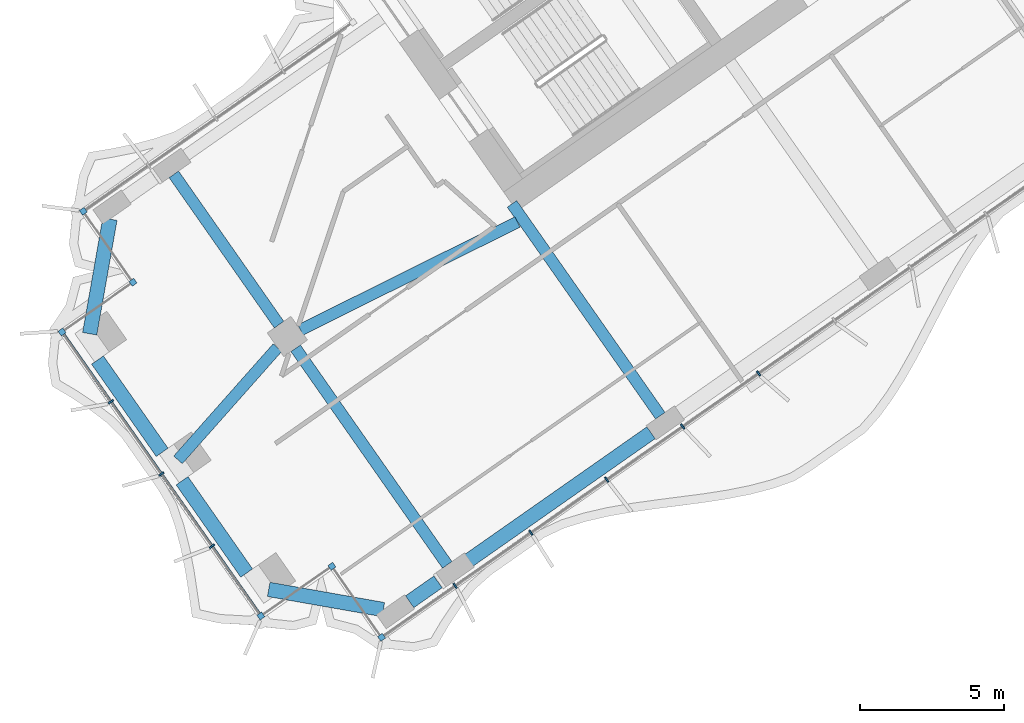
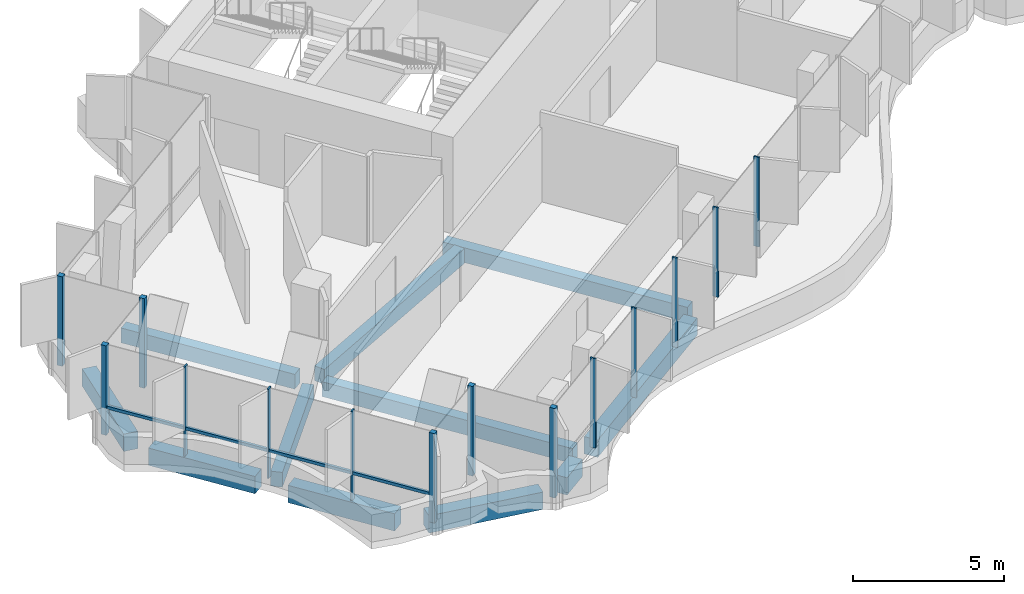
# One storey, part 2 of 23: 15 members, 11 beams, 1 element without a shape of its own.
"""IFC4 building model written with IfcOpenShell, lengths in metres."""

import ifcopenshell
import ifcopenshell.guid

model = None  # the IFC model being written
_history = None  # IfcOwnerHistory: only IFC2X3 demands one
_inside = {}  # id of a spatial element -> (the spatial element, [elements in it])
_under = {}  # id of a project, library or spatial element -> (it, [spatial elements below it])
_declared = {}  # id of a project -> (the project, [libraries it declares])
_typed = {}  # id of a type object -> (the type object, [elements of that type])
_made_of = {}  # id of a material, layer set ... -> (it, [elements and type objects made of it])


def new_model(schema):
    """Start an empty IFC model of exactly this schema.

    Asked for "IFC4X3", IfcOpenShell would pick the latest addendum, in which some entities
    have other attributes; the version numbers below select the first issue.
    IFC2X3 requires an IfcOwnerHistory on every rooted entity: one is made here for all.
    """
    global model, _history
    if schema == "IFC4X3":
        model = ifcopenshell.file(schema_version=(4, 3, 0, 0))
    else:
        model = ifcopenshell.file(schema=schema)
    _inside.clear()
    _under.clear()
    _declared.clear()
    _typed.clear()
    _made_of.clear()
    _history = None
    if model.schema == "IFC2X3":
        org = make("IfcOrganization", Name="unknown")
        user = make(
            "IfcPersonAndOrganization",
            ThePerson=make("IfcPerson", FamilyName="unknown"),
            TheOrganization=org,
        )
        app = make(
            "IfcApplication",
            ApplicationDeveloper=org,
            Version="unknown",
            ApplicationFullName="unknown",
            ApplicationIdentifier="unknown",
        )
        _history = make(
            "IfcOwnerHistory",
            OwningUser=user,
            OwningApplication=app,
            ChangeAction="ADDED",
            CreationDate=0,
        )
    return model


def make(cls, **values):
    """One entity of the class cls with the attributes given. An attribute that is None is left unset."""
    return model.create_entity(
        cls, **{name: value for name, value in values.items() if value is not None}
    )


def rooted(cls, **values):
    """An entity with a GlobalId (a new one), such as an element, a storey or a relation."""
    return make(cls, GlobalId=ifcopenshell.guid.new(), OwnerHistory=_history, **values)


def si_unit(unit_type, name, prefix=None):
    """IfcSIUnit, for example si_unit("LENGTHUNIT", "METRE", prefix="MILLI")."""
    return make("IfcSIUnit", UnitType=unit_type, Prefix=prefix, Name=name)


def assignment(units):
    """IfcUnitAssignment: the units of a project."""
    return None if units is None else make("IfcUnitAssignment", Units=units)


def point(xyz):
    """IfcCartesianPoint."""
    return None if xyz is None else make("IfcCartesianPoint", Coordinates=xyz)


def direction(xyz):
    """IfcDirection."""
    return None if xyz is None else make("IfcDirection", DirectionRatios=xyz)


def frame(location, z_axis=None, x_axis=None):
    """IfcAxis2Placement3D, a coordinate frame: its origin and axes. An axis left out is left unset."""
    return make(
        "IfcAxis2Placement3D",
        Location=point(location),
        Axis=direction(z_axis),
        RefDirection=direction(x_axis),
    )


def frame_2d(location, x_axis=None):
    """IfcAxis2Placement2D, a coordinate frame in the plane: its origin and x axis."""
    return make(
        "IfcAxis2Placement2D", Location=point(location), RefDirection=direction(x_axis)
    )


def origin():
    """The frame at (0, 0, 0) with its axes left unset."""
    return frame((0.0, 0.0, 0.0))


def origin_2d():
    """The frame at (0, 0) in the plane with its x axis left unset."""
    return frame_2d((0.0, 0.0))


def place(relative_to, where):
    """IfcLocalPlacement: puts the frame where relative to a parent placement (None: the world)."""
    return make(
        "IfcLocalPlacement", PlacementRelTo=relative_to, RelativePlacement=where
    )


def context(
    kind, dimensions, precision=None, world=None, true_north=None, identifier=None
):
    """IfcGeometricRepresentationContext, for example the 3D "Model" context."""
    return make(
        "IfcGeometricRepresentationContext",
        ContextIdentifier=identifier,
        ContextType=kind,
        CoordinateSpaceDimension=dimensions,
        Precision=precision,
        WorldCoordinateSystem=world,
        TrueNorth=true_north,
    )


def subcontext(parent, identifier, kind, view, scale=None):
    """IfcGeometricRepresentationSubContext, for example "Body" below "Model"."""
    return make(
        "IfcGeometricRepresentationSubContext",
        ContextIdentifier=identifier,
        ContextType=kind,
        ParentContext=parent,
        TargetScale=scale,
        TargetView=view,
    )


def project(units=None, contexts=None):
    """IfcProject with its units and contexts."""
    return rooted(
        "IfcProject",
        Name="project",
        RepresentationContexts=contexts,
        UnitsInContext=assignment(units),
    )


def spatial(cls, under=None, at=None, **own):
    """A site, building, storey or space (cls), placed at a placement, below another one or the project."""
    s = rooted(cls, ObjectPlacement=at, **own)
    if under is not None:
        _under.setdefault(under.id(), (under, []))[1].append(s)
    return s


def profile(cls, at=None, kind="AREA", **sizes):
    """A parametric profile (cls). Its sizes go by their IFC names, for example OverallWidth=200.0."""
    return make(cls, ProfileType=kind, Position=at, **sizes)


def rectangle(**sizes):
    """IfcRectangleProfileDef."""
    return profile("IfcRectangleProfileDef", **sizes)


def extrude(swept, where, along, depth):
    """IfcExtrudedAreaSolid: the profile swept, set in the frame where, extruded along a direction by depth."""
    return make(
        "IfcExtrudedAreaSolid",
        SweptArea=swept,
        Position=where,
        ExtrudedDirection=direction(along),
        Depth=depth,
    )


def shape(context_of_items, identifier, shape_type, items):
    """IfcShapeRepresentation: the items that make up one representation, for example the "Body"."""
    return make(
        "IfcShapeRepresentation",
        ContextOfItems=context_of_items,
        RepresentationIdentifier=identifier,
        RepresentationType=shape_type,
        Items=items,
    )


def material(Name=None, Category=None):
    """IfcMaterial."""
    return make("IfcMaterial", Name=Name, Category=Category)


def material_profile(
    of_material, cross_section, Name=None, Category=None, Priority=None
):
    """IfcMaterialProfile: a cross section and its material."""
    return make(
        "IfcMaterialProfile",
        Name=Name,
        Material=of_material,
        Profile=cross_section,
        Priority=Priority,
        Category=Category,
    )


def profile_set(profiles, Name=None, composite=None):
    """IfcMaterialProfileSet."""
    return make(
        "IfcMaterialProfileSet",
        Name=Name,
        MaterialProfiles=profiles,
        CompositeProfile=composite,
    )


def made_of(thing, what):
    """Note that an element or type object is made of a material, layer set ...; save() writes the relation."""
    if what is not None:
        _made_of.setdefault(what.id(), (what, []))[1].append(thing)
    return thing


def type_object(cls, material=None, **own):
    """A type object (cls), such as IfcWallType, which elements share."""
    return made_of(rooted(cls, **own), material)


def element(
    cls,
    number,
    at=None,
    inside=None,
    cuts=None,
    type_object=None,
    material=None,
    context=None,
    identifier="Body",
    shape_type=None,
    held_by="IfcProductDefinitionShape",
    body=None,
    shapes=None,
    **own,
):
    """One element of the class cls, such as IfcWall. Its Tag is "e" and its number.

    at: its placement. inside: the storey or other place that contains it. cuts: it is an
    opening in that element (IfcRelVoidsElement). A single representation is given by context,
    identifier, shape_type and body (its items); several are given by shapes. held_by: the class
    of the entity that holds the representations. save() writes the other relations.
    """
    e = rooted(cls, Tag="e%d" % number, ObjectPlacement=at, **own)
    if body is not None:
        shapes = [shape(context, identifier, shape_type, body)]
    if shapes is not None:
        e.Representation = make(held_by, Representations=shapes)
    if inside is not None:
        _inside.setdefault(inside.id(), (inside, []))[1].append(e)
    if cuts is not None:
        rooted(
            "IfcRelVoidsElement", RelatingBuildingElement=cuts, RelatedOpeningElement=e
        )
    if type_object is not None:
        _typed.setdefault(type_object.id(), (type_object, []))[1].append(e)
    return made_of(e, material)


def aggregate(whole, parts):
    """IfcRelAggregates: a whole, such as a stair, and the parts it consists of."""
    return rooted("IfcRelAggregates", RelatingObject=whole, RelatedObjects=parts)


def save(model, path):
    """Write the relations noted so far, then the file.

    IfcRelAggregates (storeys below a building ...), IfcRelContainedInSpatialStructure (elements
    in a storey), IfcRelDefinesByType, IfcRelAssociatesMaterial and IfcRelDeclares: one each for
    every whole, place, type object, material and project.
    """
    for whole, parts in _under.values():
        aggregate(whole, parts)
    for where, things in _inside.values():
        rooted(
            "IfcRelContainedInSpatialStructure",
            RelatedElements=things,
            RelatingStructure=where,
        )
    for kind, things in _typed.values():
        rooted("IfcRelDefinesByType", RelatedObjects=things, RelatingType=kind)
    for what, things in _made_of.values():
        rooted("IfcRelAssociatesMaterial", RelatedObjects=things, RelatingMaterial=what)
    for by, libraries in _declared.values():
        rooted("IfcRelDeclares", RelatingContext=by, RelatedDefinitions=libraries)
    model.write(path)


model = new_model("IFC4")

# Units and contexts
model_context = context("Model", 3, precision=1e-05, world=origin(), true_north=direction((0.0, 1.0)))
body_context = subcontext(model_context, "Body", "Model", "MODEL_VIEW")
ifc_project = project(units=[si_unit("LENGTHUNIT", "METRE"), si_unit("AREAUNIT", "SQUARE_METRE"), si_unit("VOLUMEUNIT", "CUBIC_METRE"), si_unit("PLANEANGLEUNIT", "RADIAN"), si_unit("MASSUNIT", "GRAM", prefix="KILO")], contexts=[model_context])

# Site, building, storey
site_placement = place(None, origin())
site = spatial("IfcSite", under=ifc_project, at=site_placement, CompositionType="ELEMENT")
building_placement = place(site_placement, origin())
building = spatial("IfcBuilding", under=site, at=building_placement, Name="Tel Ilan Convention Tower", CompositionType="ELEMENT")
storey_placement = place(building_placement, frame((0.0, 0.0, 198.300048828125)))
storey = spatial("IfcBuildingStorey", under=building, at=storey_placement, Name="L46", CompositionType="ELEMENT", Elevation=198.300048828125)

# Beams
ifc_material_1 = material(Name="Concrete C40/50", Category="concrete")
ifc_material_profile_1 = material_profile(ifc_material_1, rectangle(XDim=0.39990234375, YDim=0.60009765625, at=origin_2d()), Name="RC 400x600")
ifc_profile_set_1 = profile_set([ifc_material_profile_1], Name="Concrete C40/50")
beam_type_1 = type_object("IfcBeamType", Name="Beam RC 400x600 Concrete C40/50", PredefinedType="BEAM", material=ifc_profile_set_1)
beam_1_placement = place(storey_placement, frame((-16.58203125, -23.391357421875, -0.580078125), z_axis=(-0.573584999642, 0.819146048141, 0.0), x_axis=(-0.819146048141, -0.573584999642, 0.0)))
element("IfcBeam", 1, at=beam_1_placement, inside=storey, type_object=beam_type_1, Name="L46 beam W-W-F3-core", PredefinedType="BEAM", context=body_context, shape_type="SweptSolid", body=[
    extrude(rectangle(XDim=0.39990234375, YDim=0.60009765625, at=origin_2d()), origin(), (0.0, 0.0, 1.0), 8.949951171875),
])
beam_2_placement = place(storey_placement, frame((-21.52099609375, -16.686279296875, -0.580078125), z_axis=(-0.895402365524, -0.445257907076, 0.0), x_axis=(0.445257907076, -0.895402365524, 0.0)))
element("IfcBeam", 2, at=beam_2_placement, inside=storey, type_object=beam_type_1, Name="L46 beam W-core-W-M4", PredefinedType="BEAM", context=body_context, shape_type="SweptSolid", body=[
    extrude(rectangle(XDim=0.39990234375, YDim=0.60009765625, at=origin_2d()), origin(), (0.0, 0.0, 1.0), 8.3935546875),
])
beam_3_placement = place(storey_placement, frame((-29.830322265625, -21.03369140625, -0.580078125), z_axis=(-0.663175252401, -0.748464150512, 0.0), x_axis=(0.748464150512, -0.663175252401, 0.0)))
element("IfcBeam", 3, at=beam_3_placement, inside=storey, type_object=beam_type_1, Name="L46 beam W-W-M4-end", PredefinedType="BEAM", context=body_context, shape_type="SweptSolid", body=[
    extrude(rectangle(XDim=0.39990234375, YDim=0.60009765625, at=origin_2d()), origin(), (0.0, 0.0, 1.0), 5.192626953125),
])
beam_4_placement = place(storey_placement, frame((-29.20263671875, -21.058349609375, -0.580078125), z_axis=(0.573557249804, -0.819165478519, 0.0), x_axis=(0.819165478519, 0.573557249804, 0.0)))
element("IfcBeam", 4, at=beam_4_placement, inside=storey, type_object=beam_type_1, Name="L46 beam W-W-M4-W-F4", PredefinedType="BEAM", context=body_context, shape_type="SweptSolid", body=[
    extrude(rectangle(XDim=0.39990234375, YDim=0.60009765625, at=origin_2d()), origin(), (0.0, 0.0, 1.0), 9.14990234375),
])
beam_5_placement = place(storey_placement, frame((-29.7763671875, -20.2392578125, -0.580078125), z_axis=(-0.573560394383, 0.819163276762, 0.0), x_axis=(-0.819163276762, -0.573560394383, 0.0)))
element("IfcBeam", 5, at=beam_5_placement, inside=storey, type_object=beam_type_1, Name="L46 beam W-W-M4-W-B4", PredefinedType="BEAM", context=body_context, shape_type="SweptSolid", body=[
    extrude(rectangle(XDim=0.39990234375, YDim=0.60009765625, at=origin_2d()), origin(), (0.0, 0.0, 1.0), 6.349853515625),
])
ifc_material_2 = material(Name="Concrete C40/50", Category="concrete")
ifc_material_profile_2 = material_profile(ifc_material_2, rectangle(XDim=0.5, YDim=0.699951171875, at=origin_2d()), Name="RC 500x700")
ifc_profile_set_2 = profile_set([ifc_material_profile_2], Name="Concrete C40/50")
beam_type_2 = type_object("IfcBeamType", Name="Beam RC 500x700 Concrete C40/50", PredefinedType="BEAM", material=ifc_profile_set_2)
beam_6_placement = place(storey_placement, frame((-16.901611328125, -23.981201171875, -0.630126953125), z_axis=(-0.819153977895, -0.573573674866, 0.0), x_axis=(0.573573674866, -0.819153977895, 0.0)))
element("IfcBeam", 6, at=beam_6_placement, inside=storey, type_object=beam_type_2, Name="L46 beam W-W-F3-W-F4", PredefinedType="BEAM", context=body_context, shape_type="SweptSolid", body=[
    extrude(rectangle(XDim=0.5, YDim=0.699951171875, at=origin_2d()), origin(), (0.0, 0.0, 1.0), 7.800048828125),
])
beam_7_placement = place(storey_placement, frame((-24.27392578125, -29.1435546875, -0.630126953125), z_axis=(-0.819155442668, -0.573571582932, 0.0), x_axis=(0.573571582932, -0.819155442668, 0.0)))
element("IfcBeam", 7, at=beam_7_placement, inside=storey, type_object=beam_type_2, Name="L46 beam W-W-F4-W-FC", PredefinedType="BEAM", context=body_context, shape_type="SweptSolid", body=[
    extrude(rectangle(XDim=0.5, YDim=0.699951171875, at=origin_2d()), origin(), (0.0, 0.0, 1.0), 1.199951171875),
])
beam_8_placement = place(storey_placement, frame((-26.166259765625, -30.102294921875, -0.630126953125), z_axis=(-0.984804894423, 0.173664388751, 0.0), x_axis=(-0.173664388751, -0.984804894423, 0.0)))
element("IfcBeam", 8, at=beam_8_placement, inside=storey, type_object=beam_type_2, Name="L46 beam W-W-FC-W-E1", PredefinedType="BEAM", context=body_context, shape_type="SweptSolid", body=[
    extrude(rectangle(XDim=0.5, YDim=0.699951171875, at=origin_2d()), origin(), (0.0, 0.0, 1.0), 4.030517578125),
])
for number, where, z_axis, x_axis, name in (
    (9, (-30.8974609375, -28.837158203125, -0.630126953125), (-0.573609383536, 0.819128973434, 0.0), (-0.819128973434, -0.573609383536, 0.0), "L46 beam W-W-E1-W-E2"),
    (10, (-33.82275390625, -24.659423828125, -0.630126953125), (-0.573567378001, 0.81915838694, 0.0), (-0.81915838694, -0.573567378001, 0.0), "L46 beam W-W-E2-W-E3"),
):
    element("IfcBeam", number, at=place(storey_placement, frame(where, z_axis=z_axis, x_axis=x_axis)), inside=storey, type_object=beam_type_2, Name=name, PredefinedType="BEAM", context=body_context, shape_type="SweptSolid", body=[
        extrude(rectangle(XDim=0.5, YDim=0.699951171875, at=origin_2d()), origin(), (0.0, 0.0, 1.0), 3.89990234375),
    ])
beam_9_placement = place(storey_placement, frame((-36.330078125, -20.555419921875, -0.630126953125), z_axis=(0.173664388751, 0.984804894423, 0.0), x_axis=(-0.984804894423, 0.173664388751, 0.0)))
element("IfcBeam", 11, at=beam_9_placement, inside=storey, type_object=beam_type_2, Name="L46 beam W-W-E3-W-BC", PredefinedType="BEAM", context=body_context, shape_type="SweptSolid", body=[
    extrude(rectangle(XDim=0.5, YDim=0.699951171875, at=origin_2d()), origin(), (0.0, 0.0, 1.0), 4.030517578125),
])

# Curtain wall, members
ifc_material_3 = material(Name="Aluminium, bronze anodised", Category="aluminium")
curtain_wall_type = type_object("IfcCurtainWallType", Name="CW4 STICK CURTAIN WALL, OFFICE TINTED GLASS", PredefinedType="NOTDEFINED", material=ifc_material_3)
curtain_wall_placement = place(storey_placement, origin())
curtain_wall = element("IfcCurtainWall", 12, at=curtain_wall_placement, inside=storey, type_object=curtain_wall_type, Name="Curtain wall CW4-36.02", PredefinedType="NOTDEFINED")
ifc_material_4 = material(Name="Aluminium, bronze anodised", Category="aluminium")
ifc_material_profile_3 = material_profile(ifc_material_4, rectangle(XDim=0.199951171875, YDim=0.199951171875, at=origin_2d()), Name="CW CORNER MULLION 200x200")
ifc_profile_set_3 = profile_set([ifc_material_profile_3], Name="Aluminium, bronze anodised")
member_type_1 = type_object("IfcMemberType", Name="CW CORNER MULLION 200x200", PredefinedType="MULLION", material=ifc_profile_set_3)
member_1_placement = place(storey_placement, frame((-36.5517578125, -16.31591796875, 0.0), z_axis=(0.0, 0.0, 1.0), x_axis=(-0.819152044289, -0.573576436351, 0.0)))
member_1 = element("IfcMember", 13, at=member_1_placement, type_object=member_type_1, Name="Corner mullion", PredefinedType="MULLION", context=body_context, shape_type="SweptSolid", body=[
    extrude(rectangle(XDim=0.199951171875, YDim=0.199951171875, at=origin_2d()), origin(), (0.0, 0.0, 1.0), 3.619873046875),
])
member_2_placement = place(storey_placement, frame((-34.8310546875, -18.7734375, 0.0), z_axis=(0.0, 0.0, 1.0), x_axis=(0.573576436351, -0.819152044289, 0.0)))
member_2 = element("IfcMember", 14, at=member_2_placement, type_object=member_type_1, Name="Corner mullion", PredefinedType="MULLION", context=body_context, shape_type="SweptSolid", body=[
    extrude(rectangle(XDim=0.199951171875, YDim=0.199951171875, at=origin_2d()), origin(), (0.0, 0.0, 1.0), 3.619873046875),
])
member_3_placement = place(storey_placement, frame((-37.28857421875, -20.494140625, 0.0), z_axis=(0.0, 0.0, 1.0), x_axis=(-0.819152044289, -0.573576436351, 0.0)))
member_3 = element("IfcMember", 15, at=member_3_placement, type_object=member_type_1, Name="Corner mullion", PredefinedType="MULLION", context=body_context, shape_type="SweptSolid", body=[
    extrude(rectangle(XDim=0.199951171875, YDim=0.199951171875, at=origin_2d()), origin(), (0.0, 0.0, 1.0), 3.619873046875),
])
member_4_placement = place(storey_placement, frame((-30.40576171875, -30.323974609375, 0.0), z_axis=(0.0, 0.0, 1.0), x_axis=(0.573576436351, -0.819152044289, 0.0)))
member_4 = element("IfcMember", 16, at=member_4_placement, type_object=member_type_1, Name="Corner mullion", PredefinedType="MULLION", context=body_context, shape_type="SweptSolid", body=[
    extrude(rectangle(XDim=0.199951171875, YDim=0.199951171875, at=origin_2d()), origin(), (0.0, 0.0, 1.0), 3.619873046875),
])
member_5_placement = place(storey_placement, frame((-27.9482421875, -28.603271484375, 0.0), z_axis=(0.0, 0.0, 1.0), x_axis=(0.819152044289, 0.573576436351, 0.0)))
member_5 = element("IfcMember", 17, at=member_5_placement, type_object=member_type_1, Name="Corner mullion", PredefinedType="MULLION", context=body_context, shape_type="SweptSolid", body=[
    extrude(rectangle(XDim=0.199951171875, YDim=0.199951171875, at=origin_2d()), origin(), (0.0, 0.0, 1.0), 3.619873046875),
])
member_6_placement = place(storey_placement, frame((-26.2275390625, -31.060791015625, 0.0), z_axis=(0.0, 0.0, 1.0), x_axis=(0.573576436351, -0.819152044289, 0.0)))
member_6 = element("IfcMember", 18, at=member_6_placement, type_object=member_type_1, Name="Corner mullion", PredefinedType="MULLION", context=body_context, shape_type="SweptSolid", body=[
    extrude(rectangle(XDim=0.199951171875, YDim=0.199951171875, at=origin_2d()), origin(), (0.0, 0.0, 1.0), 3.619873046875),
])
ifc_material_5 = material(Name="Aluminium, bronze anodised", Category="aluminium")
ifc_material_profile_4 = material_profile(ifc_material_5, rectangle(XDim=0.06005859375, YDim=0.199951171875, at=origin_2d()), Name="CW MULLION 60x200")
ifc_profile_set_4 = profile_set([ifc_material_profile_4], Name="Aluminium, bronze anodised")
member_type_2 = type_object("IfcMemberType", Name="CW MULLION 60x200", PredefinedType="MULLION", material=ifc_profile_set_4)
member_7_placement = place(storey_placement, frame((-35.596435546875, -22.91064453125, 0.0), z_axis=(0.0, 0.0, 1.0), x_axis=(0.573576436351, -0.819152044289, 0.0)))
member_7 = element("IfcMember", 19, at=member_7_placement, type_object=member_type_2, Name="Mullion", PredefinedType="MULLION", context=body_context, shape_type="SweptSolid", body=[
    extrude(rectangle(XDim=0.06005859375, YDim=0.199951171875, at=origin_2d()), origin(), (0.0, 0.0, 1.0), 3.619873046875),
])
member_8_placement = place(storey_placement, frame((-33.84716796875, -25.4091796875, 0.0), z_axis=(0.0, 0.0, 1.0), x_axis=(0.573576436351, -0.819152044289, 0.0)))
member_8 = element("IfcMember", 20, at=member_8_placement, type_object=member_type_2, Name="Mullion", PredefinedType="MULLION", context=body_context, shape_type="SweptSolid", body=[
    extrude(rectangle(XDim=0.06005859375, YDim=0.199951171875, at=origin_2d()), origin(), (0.0, 0.0, 1.0), 3.619873046875),
])
member_9_placement = place(storey_placement, frame((-32.09765625, -27.907470703125, 0.0), z_axis=(0.0, 0.0, 1.0), x_axis=(0.573576436351, -0.819152044289, 0.0)))
member_9 = element("IfcMember", 21, at=member_9_placement, type_object=member_type_2, Name="Mullion", PredefinedType="MULLION", context=body_context, shape_type="SweptSolid", body=[
    extrude(rectangle(XDim=0.06005859375, YDim=0.199951171875, at=origin_2d()), origin(), (0.0, 0.0, 1.0), 3.619873046875),
])
member_10_placement = place(storey_placement, frame((-23.68408203125, -29.27978515625, 0.0), z_axis=(0.0, 0.0, 1.0), x_axis=(0.819152044289, 0.573576436351, 0.0)))
member_10 = element("IfcMember", 22, at=member_10_placement, type_object=member_type_2, Name="Mullion", PredefinedType="MULLION", context=body_context, shape_type="SweptSolid", body=[
    extrude(rectangle(XDim=0.06005859375, YDim=0.199951171875, at=origin_2d()), origin(), (0.0, 0.0, 1.0), 3.619873046875),
])
member_11_placement = place(storey_placement, frame((-21.05908203125, -27.441650390625, 0.0), z_axis=(0.0, 0.0, 1.0), x_axis=(0.819152044289, 0.573576436351, 0.0)))
member_11 = element("IfcMember", 23, at=member_11_placement, type_object=member_type_2, Name="Mullion", PredefinedType="MULLION", context=body_context, shape_type="SweptSolid", body=[
    extrude(rectangle(XDim=0.06005859375, YDim=0.199951171875, at=origin_2d()), origin(), (0.0, 0.0, 1.0), 3.619873046875),
])
member_12_placement = place(storey_placement, frame((-18.433837890625, -25.603515625, 0.0), z_axis=(0.0, 0.0, 1.0), x_axis=(0.819152044289, 0.573576436351, 0.0)))
member_12 = element("IfcMember", 24, at=member_12_placement, type_object=member_type_2, Name="Mullion", PredefinedType="MULLION", context=body_context, shape_type="SweptSolid", body=[
    extrude(rectangle(XDim=0.06005859375, YDim=0.199951171875, at=origin_2d()), origin(), (0.0, 0.0, 1.0), 3.619873046875),
])
member_13_placement = place(storey_placement, frame((-15.80859375, -23.765380859375, 0.0), z_axis=(0.0, 0.0, 1.0), x_axis=(0.819152044289, 0.573576436351, 0.0)))
member_13 = element("IfcMember", 25, at=member_13_placement, type_object=member_type_2, Name="Mullion", PredefinedType="MULLION", context=body_context, shape_type="SweptSolid", body=[
    extrude(rectangle(XDim=0.06005859375, YDim=0.199951171875, at=origin_2d()), origin(), (0.0, 0.0, 1.0), 3.619873046875),
])
member_14_placement = place(storey_placement, frame((-13.183349609375, -21.92724609375, 0.0), z_axis=(0.0, 0.0, 1.0), x_axis=(0.819152044289, 0.573576436351, 0.0)))
member_14 = element("IfcMember", 26, at=member_14_placement, type_object=member_type_2, Name="Mullion", PredefinedType="MULLION", context=body_context, shape_type="SweptSolid", body=[
    extrude(rectangle(XDim=0.06005859375, YDim=0.199951171875, at=origin_2d()), origin(), (0.0, 0.0, 1.0), 3.619873046875),
])
ifc_material_6 = material(Name="Aluminium, bronze anodised", Category="aluminium")
ifc_material_profile_5 = material_profile(ifc_material_6, rectangle(XDim=0.10009765625, YDim=0.1201171875, at=origin_2d()), Name="CW TRANSOM 100x120")
ifc_profile_set_5 = profile_set([ifc_material_profile_5], Name="Aluminium, bronze anodised")
member_type_3 = type_object("IfcMemberType", Name="CW TRANSOM 100x120", PredefinedType="USERDEFINED", material=ifc_profile_set_5)
member_15_placement = place(storey_placement, frame((-37.231201171875, -20.576171875, 1.099853515625), z_axis=(0.573567872435, -0.819158040741, 0.0), x_axis=(0.819158040741, 0.573567872435, 0.0)))
member_15 = element("IfcMember", 27, at=member_15_placement, type_object=member_type_3, Name="Transom", ObjectType="TRANSOM", PredefinedType="USERDEFINED", context=body_context, shape_type="SweptSolid", body=[
    extrude(rectangle(XDim=0.10009765625, YDim=0.1201171875, at=origin_2d()), origin(), (0.0, 0.0, 1.0), 11.800048828125),
])
aggregate(curtain_wall, [member_1, member_2, member_3, member_7, member_8, member_9, member_4, member_15, member_5, member_6, member_10, member_11, member_12, member_13, member_14])

save(model, "model.ifc")
